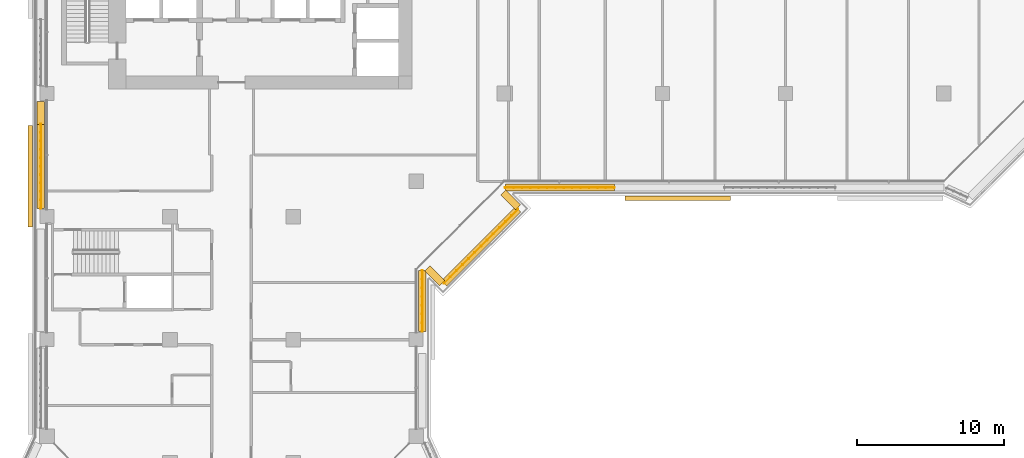
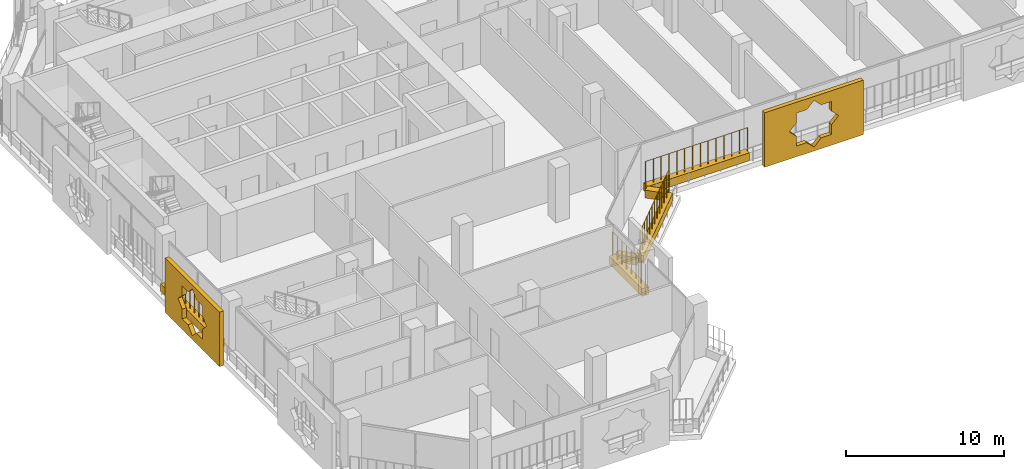
# One storey, part 17 of 22: 9 coverings, 4 railings.
"""IFC4 building model written with IfcOpenShell, lengths in metres."""

from ifc_helpers import new_model, si_unit, direction, frame, origin, origin_2d, place, context, subcontext, project, spatial, polyline, rectangle, circle, outline, extrude, material, material_profile, profile_set, type_object, element, save


model = new_model("IFC4")

# Units and contexts
model_context = context("Model", 3, precision=1e-05, world=origin(), true_north=direction((0.0, 1.0)))
body_context = subcontext(model_context, "Body", "Model", "MODEL_VIEW")
ifc_project = project(units=[si_unit("LENGTHUNIT", "METRE"), si_unit("AREAUNIT", "SQUARE_METRE"), si_unit("VOLUMEUNIT", "CUBIC_METRE"), si_unit("PLANEANGLEUNIT", "RADIAN"), si_unit("MASSUNIT", "GRAM", prefix="KILO")], contexts=[model_context])

# Site, building, storey
site_placement = place(None, origin())
site = spatial("IfcSite", under=ifc_project, at=site_placement, CompositionType="ELEMENT")
building_placement = place(site_placement, origin())
building = spatial("IfcBuilding", under=site, at=building_placement, Name="Kawkab Arch Medical Tower", CompositionType="ELEMENT")
storey_placement = place(building_placement, frame((0.0, 0.0, 196.199951171875)))
storey = spatial("IfcBuildingStorey", under=building, at=storey_placement, Name="L45", CompositionType="ELEMENT", Elevation=196.199951171875)

# Coverings
ifc_material_1 = material(Name="Bronze anodised aluminium mashrabiya panel, eight-point star pattern", Category="aluminium")
ifc_material_profile_1 = material_profile(ifc_material_1, outline(polyline([(-3.449951171875, -2.10009765625), (3.449951171875, -2.10009765625), (3.449951171875, 2.10009765625), (-3.449951171875, 2.10009765625), (-3.449951171875, -2.10009765625)]), holes=[polyline([(1.800048828125, 0.0), (1.272705078125, 0.527099609375), (1.272705078125, 1.272705078125), (0.527099609375, 1.272705078125), (0.0, 1.800048828125), (-0.527099609375, 1.272705078125), (-1.272705078125, 1.272705078125), (-1.272705078125, 0.527099609375), (-1.800048828125, 0.0), (-1.272705078125, -0.527099609375), (-1.272705078125, -1.272705078125), (-0.527099609375, -1.272705078125), (0.0, -1.800048828125), (0.527099609375, -1.272705078125), (1.272705078125, -1.272705078125), (1.272705078125, -0.527099609375), (1.800048828125, 0.0)])]), Name="Mashrabiya panel 6900x4200")
ifc_profile_set_1 = profile_set([ifc_material_profile_1], Name="Bronze anodised aluminium mashrabiya panel, eight-point star pattern")
covering_type_1 = type_object("IfcCoveringType", Name="Mashrabiya panel 6900 x 4200", PredefinedType="USERDEFINED", material=ifc_profile_set_1)
covering_1_placement = place(storey_placement, frame((-1.0, -30.850341796875, 1.699951171875), z_axis=(-1.0, 0.0, 0.0), x_axis=(0.0, -1.0, 0.0)))
element("IfcCovering", 1, at=covering_1_placement, inside=storey, type_object=covering_type_1, Name="Mashrabiya panel L45.LOG-01-01.3", ObjectType="SCREEN", PredefinedType="USERDEFINED", context=body_context, shape_type="SweptSolid", body=[
    extrude(outline(polyline([(-3.449951171875, -2.10009765625), (3.449951171875, -2.10009765625), (3.449951171875, 2.10009765625), (-3.449951171875, 2.10009765625), (-3.449951171875, -2.10009765625)]), holes=[polyline([(1.800048828125, 0.0), (1.272705078125, 0.527099609375), (1.272705078125, 1.272705078125), (0.527099609375, 1.272705078125), (0.0, 1.800048828125), (-0.527099609375, 1.272705078125), (-1.272705078125, 1.272705078125), (-1.272705078125, 0.527099609375), (-1.800048828125, 0.0), (-1.272705078125, -0.527099609375), (-1.272705078125, -1.272705078125), (-0.527099609375, -1.272705078125), (0.0, -1.800048828125), (0.527099609375, -1.272705078125), (1.272705078125, -1.272705078125), (1.272705078125, -0.527099609375), (1.800048828125, 0.0)])]), origin(), (0.0, 0.0, 1.0), 0.300048828125),
])
ifc_material_2 = material(Name="Bronze anodised aluminium mashrabiya panel, eight-point star pattern", Category="aluminium")
ifc_material_profile_2 = material_profile(ifc_material_2, outline(polyline([(-3.60009765625, -2.10009765625), (3.60009765625, -2.10009765625), (3.60009765625, 2.10009765625), (-3.60009765625, 2.10009765625), (-3.60009765625, -2.10009765625)]), holes=[polyline([(1.800048828125, 0.0), (1.272705078125, 0.527099609375), (1.272705078125, 1.272705078125), (0.527099609375, 1.272705078125), (0.0, 1.800048828125), (-0.527099609375, 1.272705078125), (-1.272705078125, 1.272705078125), (-1.272705078125, 0.527099609375), (-1.800048828125, 0.0), (-1.272705078125, -0.527099609375), (-1.272705078125, -1.272705078125), (-0.527099609375, -1.272705078125), (0.0, -1.800048828125), (0.527099609375, -1.272705078125), (1.272705078125, -1.272705078125), (1.272705078125, -0.527099609375), (1.800048828125, 0.0)])]), Name="Mashrabiya panel 7200x4200")
ifc_profile_set_2 = profile_set([ifc_material_profile_2], Name="Bronze anodised aluminium mashrabiya panel, eight-point star pattern")
covering_type_2 = type_object("IfcCoveringType", Name="Mashrabiya panel 7200 x 4200", PredefinedType="USERDEFINED", material=ifc_profile_set_2)
covering_2_placement = place(storey_placement, frame((43.06494140625, -32.199951171875, 1.699951171875), z_axis=(0.0, -1.0, 0.0), x_axis=(1.0, 0.0, 0.0)))
element("IfcCovering", 2, at=covering_2_placement, inside=storey, type_object=covering_type_2, Name="Mashrabiya panel L45.LOG-01-01.11", ObjectType="SCREEN", PredefinedType="USERDEFINED", context=body_context, shape_type="SweptSolid", body=[
    extrude(outline(polyline([(-3.60009765625, -2.10009765625), (3.60009765625, -2.10009765625), (3.60009765625, 2.10009765625), (-3.60009765625, 2.10009765625), (-3.60009765625, -2.10009765625)]), holes=[polyline([(1.800048828125, 0.0), (1.272705078125, 0.527099609375), (1.272705078125, 1.272705078125), (0.527099609375, 1.272705078125), (0.0, 1.800048828125), (-0.527099609375, 1.272705078125), (-1.272705078125, 1.272705078125), (-1.272705078125, 0.527099609375), (-1.800048828125, 0.0), (-1.272705078125, -0.527099609375), (-1.272705078125, -1.272705078125), (-0.527099609375, -1.272705078125), (0.0, -1.800048828125), (0.527099609375, -1.272705078125), (1.272705078125, -1.272705078125), (1.272705078125, -0.527099609375), (1.800048828125, 0.0)])]), origin(), (0.0, 0.0, 1.0), 0.300048828125),
])
ifc_material_3 = material(Name="Planting soil in a precast trough", Category="concrete")
ifc_material_profile_3 = material_profile(ifc_material_3, rectangle(XDim=0.5, YDim=0.60009765625, at=origin_2d()), Name="Trough 500x600")
ifc_profile_set_3 = profile_set([ifc_material_profile_3], Name="Planting soil in a precast trough")
covering_type_3 = type_object("IfcCoveringType", Name="Planter trough 500 x 600", PredefinedType="USERDEFINED", material=ifc_profile_set_3)
covering_3_placement = place(storey_placement, frame((-0.419921875, -33.044921875, 0.300048828125), z_axis=(0.0, 1.0, 0.0), x_axis=(-1.0, 0.0, 0.0)))
element("IfcCovering", 3, at=covering_3_placement, inside=storey, type_object=covering_type_3, Name="Planter L45.LOG-01-01.9", ObjectType="PLANTER", PredefinedType="USERDEFINED", context=body_context, shape_type="SweptSolid", body=[
    extrude(rectangle(XDim=0.5, YDim=0.60009765625, at=origin_2d()), origin(), (0.0, 0.0, 1.0), 5.744873046875),
])
covering_4_placement = place(storey_placement, frame((-0.419921875, -27.300048828125, 0.300048828125), z_axis=(0.0, 1.0, 0.0), x_axis=(-1.0, 0.0, 0.0)))
element("IfcCovering", 4, at=covering_4_placement, inside=storey, type_object=covering_type_3, Name="Planter L45.LOG-01-01.10", ObjectType="PLANTER", PredefinedType="USERDEFINED", context=body_context, shape_type="SweptSolid", body=[
    extrude(rectangle(XDim=0.5, YDim=0.60009765625, at=origin_2d()), origin(), (0.0, 0.0, 1.0), 1.545166015625),
])
covering_5_placement = place(storey_placement, frame((38.719970703125, -31.6201171875, 0.300048828125), z_axis=(-1.0, 0.0, 0.0), x_axis=(0.0, -1.0, 0.0)))
element("IfcCovering", 5, at=covering_5_placement, inside=storey, type_object=covering_type_3, Name="Planter L45.LOG-01-01.37", ObjectType="PLANTER", PredefinedType="USERDEFINED", context=body_context, shape_type="SweptSolid", body=[
    extrude(rectangle(XDim=0.5, YDim=0.60009765625, at=origin_2d()), origin(), (0.0, 0.0, 1.0), 7.43505859375),
])
covering_6_placement = place(storey_placement, frame((31.14306640625, -31.962890625, 0.300048828125), z_axis=(0.707020805532, -0.707192746389, 0.0), x_axis=(0.707192746389, 0.707020805532, 0.0)))
element("IfcCovering", 6, at=covering_6_placement, inside=storey, type_object=covering_type_3, Name="Planter L45.LOG-01-01.38", ObjectType="PLANTER", PredefinedType="USERDEFINED", context=body_context, shape_type="SweptSolid", body=[
    extrude(rectangle(XDim=0.5, YDim=0.60009765625, at=origin_2d()), origin(), (0.0, 0.0, 1.0), 1.419921875),
])
covering_7_placement = place(storey_placement, frame((32.14697265625, -33.10888671875, 0.300048828125), z_axis=(-0.707106781187, -0.707106781187, 0.0), x_axis=(0.707106781187, -0.707106781187, 0.0)))
element("IfcCovering", 7, at=covering_7_placement, inside=storey, type_object=covering_type_3, Name="Planter L45.LOG-01-01.39", ObjectType="PLANTER", PredefinedType="USERDEFINED", context=body_context, shape_type="SweptSolid", body=[
    extrude(rectangle(XDim=0.5, YDim=0.60009765625, at=origin_2d()), origin(), (0.0, 0.0, 1.0), 7.125),
])
covering_8_placement = place(storey_placement, frame((26.967041015625, -38.14697265625, 0.300048828125), z_axis=(-0.707192746389, 0.707020805532, 0.0), x_axis=(-0.707020805532, -0.707192746389, 0.0)))
element("IfcCovering", 8, at=covering_8_placement, inside=storey, type_object=covering_type_3, Name="Planter L45.LOG-01-01.40", ObjectType="PLANTER", PredefinedType="USERDEFINED", context=body_context, shape_type="SweptSolid", body=[
    extrude(rectangle(XDim=0.5, YDim=0.60009765625, at=origin_2d()), origin(), (0.0, 0.0, 1.0), 1.419921875),
])
covering_9_placement = place(storey_placement, frame((25.6201171875, -37.284912109375, 0.300048828125), z_axis=(0.0, -1.0, 0.0), x_axis=(1.0, 0.0, 0.0)))
element("IfcCovering", 9, at=covering_9_placement, inside=storey, type_object=covering_type_3, Name="Planter L45.LOG-01-01.41", ObjectType="PLANTER", PredefinedType="USERDEFINED", context=body_context, shape_type="SweptSolid", body=[
    extrude(rectangle(XDim=0.5, YDim=0.60009765625, at=origin_2d()), origin(), (0.0, 0.0, 1.0), 4.16015625),
])

# Railings
ifc_material_4 = material(Name="Bronze anodised aluminium trellis for climbing plants", Category="aluminium")
railing_type = type_object("IfcRailingType", Name="Planting trellis 2400", PredefinedType="USERDEFINED", material=ifc_material_4)
railing_1_placement = place(storey_placement, frame((-0.419921875, -33.044921875, 0.0)))
element("IfcRailing", 10, at=railing_1_placement, inside=storey, type_object=railing_type, Name="Planting trellis L45.LOG-01-01.9", ObjectType="TRELLIS", PredefinedType="USERDEFINED", context=body_context, shape_type="SweptSolid", body=[
    extrude(circle(Radius=0.01513671875, at=origin_2d()), frame((0.0, 0.0, 2.384765625), z_axis=(0.0, 1.0, 0.0), x_axis=(-1.0, 0.0, 0.0)), (0.0, 0.0, 1.0), 5.744873046875),
    extrude(circle(Radius=0.030029296875, at=origin_2d()), origin(), (0.0, 0.0, 1.0), 2.369873046875),
    extrude(circle(Radius=0.030029296875, at=origin_2d()), frame((0.0, 0.574462890625, 0.0)), (0.0, 0.0, 1.0), 2.369873046875),
    extrude(circle(Radius=0.030029296875, at=origin_2d()), frame((0.0, 1.14892578125, 0.0)), (0.0, 0.0, 1.0), 2.369873046875),
    extrude(circle(Radius=0.030029296875, at=origin_2d()), frame((0.0, 1.723388671875, 0.0)), (0.0, 0.0, 1.0), 2.369873046875),
    extrude(circle(Radius=0.030029296875, at=origin_2d()), frame((0.0, 2.2978515625, 0.0)), (0.0, 0.0, 1.0), 2.369873046875),
    extrude(circle(Radius=0.030029296875, at=origin_2d()), frame((0.0, 2.87255859375, 0.0)), (0.0, 0.0, 1.0), 2.369873046875),
    extrude(circle(Radius=0.030029296875, at=origin_2d()), frame((0.0, 3.447021484375, 0.0)), (0.0, 0.0, 1.0), 2.369873046875),
    extrude(circle(Radius=0.030029296875, at=origin_2d()), frame((0.0, 4.021484375, 0.0)), (0.0, 0.0, 1.0), 2.369873046875),
    extrude(circle(Radius=0.030029296875, at=origin_2d()), frame((0.0, 4.595947265625, 0.0)), (0.0, 0.0, 1.0), 2.369873046875),
    extrude(circle(Radius=0.030029296875, at=origin_2d()), frame((0.0, 5.17041015625, 0.0)), (0.0, 0.0, 1.0), 2.369873046875),
    extrude(circle(Radius=0.030029296875, at=origin_2d()), frame((0.0, 5.744873046875, 0.0)), (0.0, 0.0, 1.0), 2.369873046875),
])
railing_2_placement = place(storey_placement, frame((38.719970703125, -31.6201171875, 0.0)))
element("IfcRailing", 11, at=railing_2_placement, inside=storey, type_object=railing_type, Name="Planting trellis L45.LOG-01-01.37", ObjectType="TRELLIS", PredefinedType="USERDEFINED", context=body_context, shape_type="SweptSolid", body=[
    extrude(circle(Radius=0.01513671875, at=origin_2d()), frame((0.0, 0.0, 2.384765625), z_axis=(-1.0, 0.0, 0.0), x_axis=(0.0, -1.0, 0.0)), (0.0, 0.0, 1.0), 7.43505859375),
    extrude(circle(Radius=0.030029296875, at=origin_2d()), origin(), (0.0, 0.0, 1.0), 2.369873046875),
    extrude(circle(Radius=0.030029296875, at=origin_2d()), frame((-0.572021484375, 0.0, 0.0)), (0.0, 0.0, 1.0), 2.369873046875),
    extrude(circle(Radius=0.030029296875, at=origin_2d()), frame((-1.143798828125, 0.0, 0.0)), (0.0, 0.0, 1.0), 2.369873046875),
    extrude(circle(Radius=0.030029296875, at=origin_2d()), frame((-1.7158203125, 0.0, 0.0)), (0.0, 0.0, 1.0), 2.369873046875),
    extrude(circle(Radius=0.030029296875, at=origin_2d()), frame((-2.28759765625, 0.0, 0.0)), (0.0, 0.0, 1.0), 2.369873046875),
    extrude(circle(Radius=0.030029296875, at=origin_2d()), frame((-2.859619140625, 0.0, 0.0)), (0.0, 0.0, 1.0), 2.369873046875),
    extrude(circle(Radius=0.030029296875, at=origin_2d()), frame((-3.431640625, 0.0, 0.0)), (0.0, 0.0, 1.0), 2.369873046875),
    extrude(circle(Radius=0.030029296875, at=origin_2d()), frame((-4.00341796875, 0.0, 0.0)), (0.0, 0.0, 1.0), 2.369873046875),
    extrude(circle(Radius=0.030029296875, at=origin_2d()), frame((-4.575439453125, 0.0, 0.0)), (0.0, 0.0, 1.0), 2.369873046875),
    extrude(circle(Radius=0.030029296875, at=origin_2d()), frame((-5.1474609375, 0.0, 0.0)), (0.0, 0.0, 1.0), 2.369873046875),
    extrude(circle(Radius=0.030029296875, at=origin_2d()), frame((-5.71923828125, 0.0, 0.0)), (0.0, 0.0, 1.0), 2.369873046875),
    extrude(circle(Radius=0.030029296875, at=origin_2d()), frame((-6.291259765625, 0.0, 0.0)), (0.0, 0.0, 1.0), 2.369873046875),
    extrude(circle(Radius=0.030029296875, at=origin_2d()), frame((-6.863037109375, 0.0, 0.0)), (0.0, 0.0, 1.0), 2.369873046875),
    extrude(circle(Radius=0.030029296875, at=origin_2d()), frame((-7.43505859375, 0.0, 0.0)), (0.0, 0.0, 1.0), 2.369873046875),
])
railing_3_placement = place(storey_placement, frame((32.14697265625, -33.10888671875, 0.0)))
element("IfcRailing", 12, at=railing_3_placement, inside=storey, type_object=railing_type, Name="Planting trellis L45.LOG-01-01.39", ObjectType="TRELLIS", PredefinedType="USERDEFINED", context=body_context, shape_type="SweptSolid", body=[
    extrude(circle(Radius=0.01513671875, at=origin_2d()), frame((0.0, 0.0, 2.384765625), z_axis=(-0.707106781187, -0.707106781187, 0.0), x_axis=(0.707106781187, -0.707106781187, 0.0)), (0.0, 0.0, 1.0), 7.125),
    extrude(circle(Radius=0.030029296875, at=origin_2d()), origin(), (0.0, 0.0, 1.0), 2.369873046875),
    extrude(circle(Radius=0.030029296875, at=origin_2d()), frame((-0.419921875, -0.419921875, 0.0)), (0.0, 0.0, 1.0), 2.369873046875),
    extrude(circle(Radius=0.030029296875, at=origin_2d()), frame((-0.839599609375, -0.839599609375, 0.0)), (0.0, 0.0, 1.0), 2.369873046875),
    extrude(circle(Radius=0.030029296875, at=origin_2d()), frame((-1.259521484375, -1.259521484375, 0.0)), (0.0, 0.0, 1.0), 2.369873046875),
    extrude(circle(Radius=0.030029296875, at=origin_2d()), frame((-1.679443359375, -1.679443359375, 0.0)), (0.0, 0.0, 1.0), 2.369873046875),
    extrude(circle(Radius=0.030029296875, at=origin_2d()), frame((-2.09912109375, -2.09912109375, 0.0)), (0.0, 0.0, 1.0), 2.369873046875),
    extrude(circle(Radius=0.030029296875, at=origin_2d()), frame((-2.51904296875, -2.51904296875, 0.0)), (0.0, 0.0, 1.0), 2.369873046875),
    extrude(circle(Radius=0.030029296875, at=origin_2d()), frame((-2.93896484375, -2.93896484375, 0.0)), (0.0, 0.0, 1.0), 2.369873046875),
    extrude(circle(Radius=0.030029296875, at=origin_2d()), frame((-3.358642578125, -3.358642578125, 0.0)), (0.0, 0.0, 1.0), 2.369873046875),
    extrude(circle(Radius=0.030029296875, at=origin_2d()), frame((-3.778564453125, -3.778564453125, 0.0)), (0.0, 0.0, 1.0), 2.369873046875),
    extrude(circle(Radius=0.030029296875, at=origin_2d()), frame((-4.198486328125, -4.198486328125, 0.0)), (0.0, 0.0, 1.0), 2.369873046875),
    extrude(circle(Radius=0.030029296875, at=origin_2d()), frame((-4.6181640625, -4.6181640625, 0.0)), (0.0, 0.0, 1.0), 2.369873046875),
    extrude(circle(Radius=0.030029296875, at=origin_2d()), frame((-5.0380859375, -5.0380859375, 0.0)), (0.0, 0.0, 1.0), 2.369873046875),
])
railing_4_placement = place(storey_placement, frame((25.6201171875, -37.284912109375, 0.0)))
element("IfcRailing", 13, at=railing_4_placement, inside=storey, type_object=railing_type, Name="Planting trellis L45.LOG-01-01.41", ObjectType="TRELLIS", PredefinedType="USERDEFINED", context=body_context, shape_type="SweptSolid", body=[
    extrude(circle(Radius=0.01513671875, at=origin_2d()), frame((0.0, 0.0, 2.384765625), z_axis=(0.0, -1.0, 0.0), x_axis=(1.0, 0.0, 0.0)), (0.0, 0.0, 1.0), 4.16015625),
    extrude(circle(Radius=0.030029296875, at=origin_2d()), origin(), (0.0, 0.0, 1.0), 2.369873046875),
    extrude(circle(Radius=0.030029296875, at=origin_2d()), frame((0.0, -0.59423828125, 0.0)), (0.0, 0.0, 1.0), 2.369873046875),
    extrude(circle(Radius=0.030029296875, at=origin_2d()), frame((0.0, -1.188720703125, 0.0)), (0.0, 0.0, 1.0), 2.369873046875),
    extrude(circle(Radius=0.030029296875, at=origin_2d()), frame((0.0, -1.782958984375, 0.0)), (0.0, 0.0, 1.0), 2.369873046875),
    extrude(circle(Radius=0.030029296875, at=origin_2d()), frame((0.0, -2.377197265625, 0.0)), (0.0, 0.0, 1.0), 2.369873046875),
    extrude(circle(Radius=0.030029296875, at=origin_2d()), frame((0.0, -2.971435546875, 0.0)), (0.0, 0.0, 1.0), 2.369873046875),
    extrude(circle(Radius=0.030029296875, at=origin_2d()), frame((0.0, -3.56591796875, 0.0)), (0.0, 0.0, 1.0), 2.369873046875),
    extrude(circle(Radius=0.030029296875, at=origin_2d()), frame((0.0, -4.16015625, 0.0)), (0.0, 0.0, 1.0), 2.369873046875),
])

save(model, "model.ifc")
